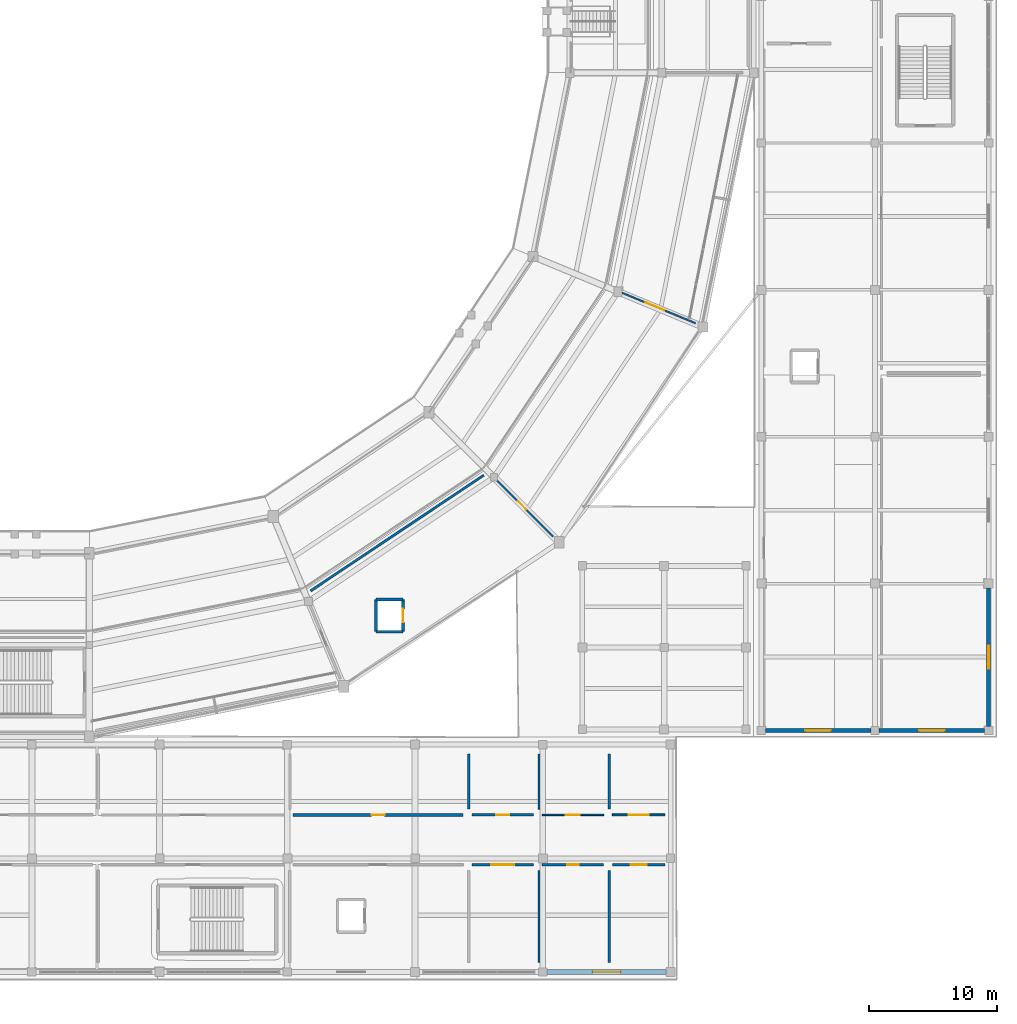
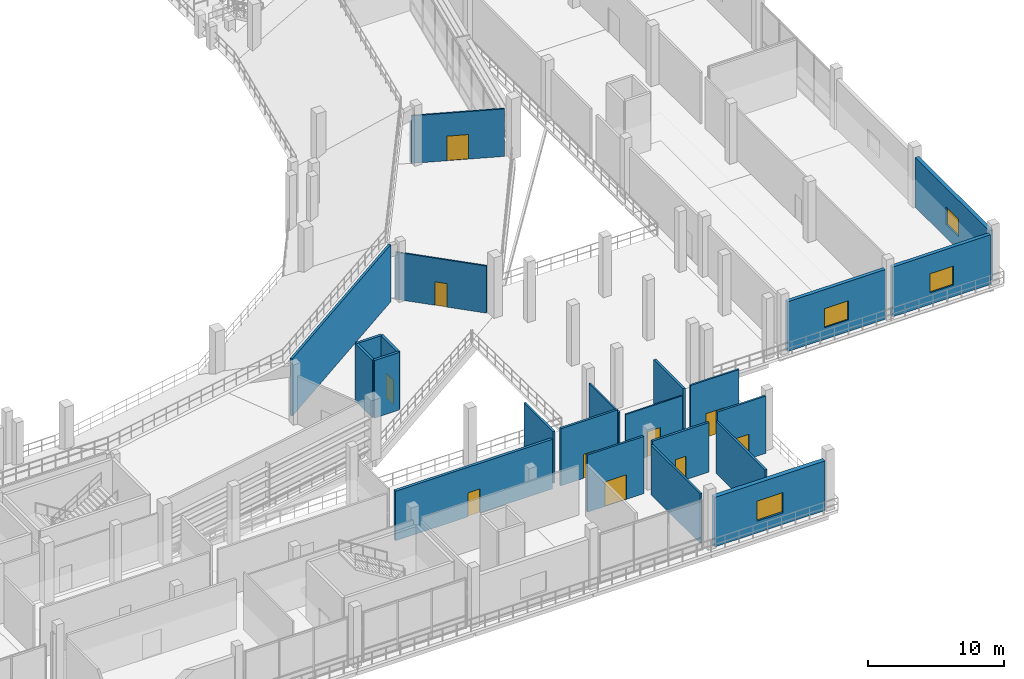
# One storey, part 79 of 127: 23 walls, 10 doors, 4 windows, 14 openings.
"""IFC4 building model written with IfcOpenShell, lengths in metres."""

from ifc_helpers import new_model, si_unit, direction, frame, frame_2d, origin, place, context, subcontext, project, spatial, rectangle, extrude, material, layer, layer_set, type_object, element, fill, save


model = new_model("IFC4")

# Units and contexts
model_context = context("Model", 3, precision=1e-05, world=origin(), true_north=direction((0.0, 1.0)))
body_context = subcontext(model_context, "Body", "Model", "MODEL_VIEW")
ifc_project = project(units=[si_unit("LENGTHUNIT", "METRE"), si_unit("AREAUNIT", "SQUARE_METRE"), si_unit("VOLUMEUNIT", "CUBIC_METRE"), si_unit("PLANEANGLEUNIT", "RADIAN"), si_unit("MASSUNIT", "GRAM", prefix="KILO")], contexts=[model_context])

# Site, building, storey
site_placement = place(None, origin())
site = spatial("IfcSite", under=ifc_project, at=site_placement, CompositionType="ELEMENT")
building_placement = place(site_placement, origin())
building = spatial("IfcBuilding", under=site, at=building_placement, Name="Candeia Ridge Stadium", CompositionType="ELEMENT")
storey_placement = place(building_placement, frame((0.0, 0.0, 10.800048828125)))
storey = spatial("IfcBuildingStorey", under=building, at=storey_placement, Name="L02", CompositionType="ELEMENT", Elevation=10.800048828125)

# Wall, opening, door
ifc_material_1 = material(Name="Gypsum Metal-Stud Partition", Category="gypsum")
ifc_layer_1 = layer(ifc_material_1, 0.14501953125, Name="Gypsum Metal-Stud Partition", Category="gypsum")
ifc_layer_set_1 = layer_set([ifc_layer_1], Name="Gypsum Metal-Stud Partition")
wall_type_1 = type_object("IfcWallType", Name="Athlete Recovery Partition 145", PredefinedType="PARTITIONING", material=ifc_layer_set_1)
wall_1_placement = place(storey_placement, frame((186.050048828125, 12.89990234375, 0.0), z_axis=(0.0, 0.0, 1.0), x_axis=(-1.0, 0.0, 0.0)))
wall_1 = element("IfcWall", 1, at=wall_1_placement, inside=storey, type_object=wall_type_1, Name="Interior partition PT-L02-0417", PredefinedType="PARTITIONING", context=body_context, shape_type="SweptSolid", body=[
    extrude(rectangle(XDim=4.10009765625, YDim=0.14501953125, at=frame_2d((2.050048828125, 0.0))), origin(), (0.0, 0.0, 1.0), 5.119873046875),
])
opening_1_placement = place(wall_1_placement, frame((1.27490234375, 0.0, 0.0)))
opening_1 = element("IfcOpeningElement", 2, at=opening_1_placement, cuts=wall_1, Name="Opening ID14", PredefinedType="OPENING", context=body_context, shape_type="SweptSolid", body=[
    extrude(rectangle(XDim=1.550048828125, YDim=2.14990234375, at=frame_2d((0.77490234375, 1.074951171875))), frame((0.0, 0.08251953125, 0.0), z_axis=(0.0, -1.0, 0.0), x_axis=(1.0, 0.0, 0.0)), (0.0, 0.0, 1.0), 0.1650390625),
])
ifc_material_2 = material(Name="Brushed Stainless Steel", Category="steel")
door_type_1 = type_object("IfcDoorType", Name="Catering Kitchen Double Door 1550x2150", OperationType="NOTDEFINED", PredefinedType="DOOR", material=ifc_material_2)
door_1_placement = place(opening_1_placement, origin())
door_1 = element("IfcDoor", 3, at=door_1_placement, inside=storey, type_object=door_type_1, Name="Interior room door D-L02-0216", OperationType="DOUBLE_DOOR_SINGLE_SWING", OverallHeight=2.14990234375, OverallWidth=1.550048828125, PredefinedType="DOOR", context=body_context, shape_type="SweptSolid", body=[
    extrude(rectangle(XDim=1.550048828125, YDim=2.14990234375, at=frame_2d((0.77490234375, 1.074951171875))), frame((0.0, 0.02490234375, 0.0), z_axis=(0.0, -1.0, 0.0), x_axis=(1.0, 0.0, 0.0)), (0.0, 0.0, 1.0), 0.050048828125),
])
fill(opening_1, door_1)

# Wall
ifc_material_3 = material(Name="Gypsum Acoustic Twin-Stud Assembly", Category="gypsum")
ifc_layer_2 = layer(ifc_material_3, 0.179931640625, Name="Gypsum Acoustic Twin-Stud Assembly", Category="gypsum")
ifc_layer_set_2 = layer_set([ifc_layer_2], Name="Gypsum Acoustic Twin-Stud Assembly")
wall_type_2 = type_object("IfcWallType", Name="Corridor Fire Partition 180", PredefinedType="PARTITIONING", material=ifc_layer_set_2)
wall_2_placement = place(storey_placement, frame((181.699951171875, 1.35009765625, 0.0), z_axis=(0.0, 0.0, 1.0), x_axis=(0.0, 1.0, 0.0)))
element("IfcWall", 4, at=wall_2_placement, inside=storey, type_object=wall_type_2, Name="Demising partition PT-L02-0416", PredefinedType="PARTITIONING", context=body_context, shape_type="SweptSolid", body=[
    extrude(rectangle(XDim=7.199951171875, YDim=0.179931640625, at=frame_2d((3.60009765625, 0.0))), origin(), (0.0, 0.0, 1.0), 4.635009765625),
])

# Wall, opening, door
ifc_material_4 = material(Name="Moisture-Resistant Masonry & Tile", Category="masonry")
ifc_layer_3 = layer(ifc_material_4, 0.22998046875, Name="Moisture-Resistant Masonry & Tile", Category="masonry")
ifc_layer_set_3 = layer_set([ifc_layer_3], Name="Moisture-Resistant Masonry & Tile")
wall_type_3 = type_object("IfcWallType", Name="Dressing Suite Wet-Wall Chase 230", PredefinedType="PLUMBINGWALL", material=ifc_layer_set_3)
wall_3_placement = place(storey_placement, frame((170.25, 12.89990234375, 0.0), z_axis=(0.0, 0.0, 1.0), x_axis=(-1.0, 0.0, 0.0)))
wall_3 = element("IfcWall", 5, at=wall_3_placement, inside=storey, type_object=wall_type_3, Name="Interior partition PT-L02-0405", PredefinedType="PLUMBINGWALL", context=body_context, shape_type="SweptSolid", body=[
    extrude(rectangle(XDim=13.300048828125, YDim=0.22998046875, at=frame_2d((6.64990234375, 0.0))), origin(), (0.0, 0.0, 1.0), 4.43505859375),
])
opening_2_placement = place(wall_3_placement, frame((6.139892578125, 0.0, 0.0)))
opening_2 = element("IfcOpeningElement", 6, at=opening_2_placement, cuts=wall_3, Name="Opening ID16", PredefinedType="OPENING", context=body_context, shape_type="SweptSolid", body=[
    extrude(rectangle(XDim=1.02001953125, YDim=2.14990234375, at=frame_2d((0.510009765625, 1.074951171875))), frame((0.0, 0.125, 0.0), z_axis=(0.0, -1.0, 0.0), x_axis=(1.0, 0.0, 0.0)), (0.0, 0.0, 1.0), 0.25),
])
ifc_material_5 = material(Name="Solid Core Cedar Veneer", Category="wood")
door_type_2 = type_object("IfcDoorType", Name="Community Classroom Door 1020x2150", OperationType="NOTDEFINED", PredefinedType="DOOR", material=ifc_material_5)
door_2_placement = place(opening_2_placement, origin())
door_2 = element("IfcDoor", 7, at=door_2_placement, inside=storey, type_object=door_type_2, Name="Interior room door D-L02-0210", OperationType="SINGLE_SWING_LEFT", OverallHeight=2.14990234375, OverallWidth=1.02001953125, PredefinedType="DOOR", context=body_context, shape_type="SweptSolid", body=[
    extrude(rectangle(XDim=1.02001953125, YDim=2.14990234375, at=frame_2d((0.510009765625, 1.074951171875))), frame((0.0, 0.02490234375, 0.0), z_axis=(0.0, -1.0, 0.0), x_axis=(1.0, 0.0, 0.0)), (0.0, 0.0, 1.0), 0.050048828125),
])
fill(opening_2, door_2)

# Wall, opening, window
ifc_material_6 = material(Name="Concrete C35/45", Category="concrete")
ifc_layer_4 = layer(ifc_material_6, 0.320068359375, Name="Concrete C35/45", Category="concrete")
ifc_layer_set_4 = layer_set([ifc_layer_4], Name="Concrete C35/45")
wall_type_4 = type_object("IfcWallType", Name="Exterior Cedar-Clad Insulated Wall 320", PredefinedType="SOLIDWALL", material=ifc_layer_set_4)
wall_4_placement = place(storey_placement, frame((211.39990234375, 19.81298828125, 0.0), z_axis=(0.0, 0.0, 1.0), x_axis=(0.0, 1.0, 0.0)))
wall_4 = element("IfcWall", 8, at=wall_4_placement, inside=storey, type_object=wall_type_4, Name="Exterior facade wall EW-L02-0144", PredefinedType="SOLIDWALL", context=body_context, shape_type="SweptSolid", body=[
    extrude(rectangle(XDim=10.84912109375, YDim=0.320068359375, at=frame_2d((5.424560546875, 0.0))), origin(), (0.0, 0.0, 1.0), 4.454833984375),
])
opening_3_placement = place(wall_4_placement, frame((4.5244140625, 0.0, 1.199951171875)))
opening_3 = element("IfcOpeningElement", 9, at=opening_3_placement, cuts=wall_4, Name="Opening W08", PredefinedType="OPENING", context=body_context, shape_type="SweptSolid", body=[
    extrude(rectangle(XDim=1.800048828125, YDim=1.60009765625, at=frame_2d((0.89990234375, 0.800048828125))), frame((0.0, 0.169921875, 0.0), z_axis=(0.0, -1.0, 0.0), x_axis=(1.0, 0.0, 0.0)), (0.0, 0.0, 1.0), 0.340087890625),
])
ifc_material_7 = material(Name="Tempered Solar-Control Double Glazing", Category="glass")
window_type_1 = type_object("IfcWindowType", Name="Athlete Suite Window 1800x1600", PartitioningType="SINGLE_PANEL", PredefinedType="WINDOW", material=ifc_material_7)
window_1_placement = place(opening_3_placement, origin())
window_1 = element("IfcWindow", 10, at=window_1_placement, inside=storey, type_object=window_type_1, Name="Exterior window WIN-L02-081", OverallHeight=1.60009765625, OverallWidth=1.800048828125, PartitioningType="SINGLE_PANEL", PredefinedType="WINDOW", context=body_context, shape_type="SweptSolid", body=[
    extrude(rectangle(XDim=1.800048828125, YDim=1.60009765625, at=frame_2d((0.89990234375, 0.800048828125))), frame((0.0, 0.030029296875, 0.0), z_axis=(0.0, -1.0, 0.0), x_axis=(1.0, 0.0, 0.0)), (0.0, 0.0, 1.0), 0.06005859375),
])
fill(opening_3, window_1)

ifc_material_8 = material(Name="Concrete C40/50", Category="concrete")
ifc_layer_5 = layer(ifc_material_8, 0.3798828125, Name="Concrete C40/50", Category="concrete")
ifc_layer_set_5 = layer_set([ifc_layer_5], Name="Concrete C40/50")
wall_type_5 = type_object("IfcWallType", Name="Exterior Museum Gallery Wall 380", PredefinedType="SOLIDWALL", material=ifc_layer_set_5)
wall_5_placement = place(storey_placement, frame((176.81298828125, 0.60009765625, 0.0), z_axis=(0.0, 0.0, 1.0), x_axis=(1.0, 0.0, 0.0)))
wall_5 = element("IfcWall", 11, at=wall_5_placement, inside=storey, type_object=wall_type_5, Name="Exterior facade wall EW-L02-0181", PredefinedType="SOLIDWALL", context=body_context, shape_type="SweptSolid", body=[
    extrude(rectangle(XDim=9.34912109375, YDim=0.3798828125, at=frame_2d((4.674560546875, 0.0))), origin(), (0.0, 0.0, 1.0), 4.43505859375),
])
opening_4_placement = place(wall_5_placement, frame((3.574462890625, 0.0, 1.050048828125)))
opening_4 = element("IfcOpeningElement", 12, at=opening_4_placement, cuts=wall_5, Name="Opening W07", PredefinedType="OPENING", context=body_context, shape_type="SweptSolid", body=[
    extrude(rectangle(XDim=2.199951171875, YDim=1.800048828125, at=frame_2d((1.10009765625, 0.89990234375))), frame((0.0, 0.199951171875, 0.0), z_axis=(0.0, -1.0, 0.0), x_axis=(1.0, 0.0, 0.0)), (0.0, 0.0, 1.0), 0.39990234375),
])
window_type_2 = type_object("IfcWindowType", Name="Museum Gallery Window 2200x1800", PartitioningType="SINGLE_PANEL", PredefinedType="WINDOW", material=ifc_material_7)
window_2_placement = place(opening_4_placement, origin())
window_2 = element("IfcWindow", 13, at=window_2_placement, inside=storey, type_object=window_type_2, Name="Exterior window WIN-L02-102", OverallHeight=1.800048828125, OverallWidth=2.199951171875, PartitioningType="SINGLE_PANEL", PredefinedType="WINDOW", context=body_context, shape_type="SweptSolid", body=[
    extrude(rectangle(XDim=2.199951171875, YDim=1.800048828125, at=frame_2d((1.10009765625, 0.89990234375))), frame((0.0, 0.030029296875, 0.0), z_axis=(0.0, -1.0, 0.0), x_axis=(1.0, 0.0, 0.0)), (0.0, 0.0, 1.0), 0.06005859375),
])
fill(opening_4, window_2)

ifc_layer_6 = layer(ifc_material_6, 0.300048828125, Name="Concrete C35/45", Category="concrete")
ifc_layer_set_6 = layer_set([ifc_layer_6], Name="Concrete C35/45")
wall_type_6 = type_object("IfcWallType", Name="Exterior Pavilion Rainscreen Wall 300", PredefinedType="SOLIDWALL", material=ifc_layer_set_6)
wall_6_placement = place(storey_placement, frame((193.9130859375, 19.5, 0.0), z_axis=(0.0, 0.0, 1.0), x_axis=(1.0, 0.0, 0.0)))
wall_6 = element("IfcWall", 14, at=wall_6_placement, inside=storey, type_object=wall_type_6, Name="Exterior facade wall EW-L02-0150", PredefinedType="SOLIDWALL", context=body_context, shape_type="SweptSolid", body=[
    extrude(rectangle(XDim=8.27392578125, YDim=0.300048828125, at=frame_2d((4.136962890625, 0.0))), origin(), (0.0, 0.0, 1.0), 4.454833984375),
])
opening_5_placement = place(wall_6_placement, frame((3.136962890625, 0.0, 1.050048828125)))
opening_5 = element("IfcOpeningElement", 15, at=opening_5_placement, cuts=wall_6, Name="Opening W12", PredefinedType="OPENING", context=body_context, shape_type="SweptSolid", body=[
    extrude(rectangle(XDim=2.0, YDim=1.699951171875, at=frame_2d((1.0, 0.85009765625))), frame((0.0, 0.159912109375, 0.0), z_axis=(0.0, -1.0, 0.0), x_axis=(1.0, 0.0, 0.0)), (0.0, 0.0, 1.0), 0.320068359375),
])
window_type_3 = type_object("IfcWindowType", Name="Community Room Window 2000x1700", PartitioningType="SINGLE_PANEL", PredefinedType="WINDOW", material=ifc_material_7)
window_3_placement = place(opening_5_placement, origin())
window_3 = element("IfcWindow", 16, at=window_3_placement, inside=storey, type_object=window_type_3, Name="Exterior window WIN-L02-087", OverallHeight=1.699951171875, OverallWidth=2.0, PartitioningType="SINGLE_PANEL", PredefinedType="WINDOW", context=body_context, shape_type="SweptSolid", body=[
    extrude(rectangle(XDim=2.0, YDim=1.699951171875, at=frame_2d((1.0, 0.85009765625))), frame((0.0, 0.030029296875, 0.0), z_axis=(0.0, -1.0, 0.0), x_axis=(1.0, 0.0, 0.0)), (0.0, 0.0, 1.0), 0.06005859375),
])
fill(opening_5, window_3)

wall_7_placement = place(storey_placement, frame((202.81298828125, 19.5, 0.0), z_axis=(0.0, 0.0, 1.0), x_axis=(1.0, 0.0, 0.0)))
wall_7 = element("IfcWall", 17, at=wall_7_placement, inside=storey, type_object=wall_type_6, Name="Exterior facade wall EW-L02-0151", PredefinedType="SOLIDWALL", context=body_context, shape_type="SweptSolid", body=[
    extrude(rectangle(XDim=8.27392578125, YDim=0.300048828125, at=frame_2d((4.136962890625, 0.0))), origin(), (0.0, 0.0, 1.0), 4.454833984375),
])
opening_6_placement = place(wall_7_placement, frame((3.136962890625, 0.0, 1.050048828125)))
opening_6 = element("IfcOpeningElement", 18, at=opening_6_placement, cuts=wall_7, Name="Opening W12", PredefinedType="OPENING", context=body_context, shape_type="SweptSolid", body=[
    extrude(rectangle(XDim=2.0, YDim=1.699951171875, at=frame_2d((1.0, 0.85009765625))), frame((0.0, 0.159912109375, 0.0), z_axis=(0.0, -1.0, 0.0), x_axis=(1.0, 0.0, 0.0)), (0.0, 0.0, 1.0), 0.320068359375),
])
window_4_placement = place(opening_6_placement, origin())
window_4 = element("IfcWindow", 19, at=window_4_placement, inside=storey, type_object=window_type_3, Name="Exterior window WIN-L02-088", OverallHeight=1.699951171875, OverallWidth=2.0, PartitioningType="SINGLE_PANEL", PredefinedType="WINDOW", context=body_context, shape_type="SweptSolid", body=[
    extrude(rectangle(XDim=2.0, YDim=1.699951171875, at=frame_2d((1.0, 0.85009765625))), frame((0.0, 0.030029296875, 0.0), z_axis=(0.0, -1.0, 0.0), x_axis=(1.0, 0.0, 0.0)), (0.0, 0.0, 1.0), 0.06005859375),
])
fill(opening_6, window_4)

# Wall, opening, door
ifc_layer_7 = layer(ifc_material_1, 0.135009765625, Name="Gypsum Metal-Stud Partition", Category="gypsum")
ifc_layer_set_7 = layer_set([ifc_layer_7], Name="Gypsum Metal-Stud Partition")
wall_type_7 = type_object("IfcWallType", Name="General Room Partition 135", PredefinedType="PARTITIONING", material=ifc_layer_set_7)
wall_8_placement = place(storey_placement, frame((188.44921875, 51.38916015625, 0.0), z_axis=(0.0, 0.0, 1.0), x_axis=(-0.923880834014, 0.382680290244, 0.0)))
wall_8 = element("IfcWall", 20, at=wall_8_placement, inside=storey, type_object=wall_type_7, Name="Interior partition PT-L02-0489", PredefinedType="PARTITIONING", context=body_context, shape_type="SweptSolid", body=[
    extrude(rectangle(XDim=6.89208984375, YDim=0.135009765625, at=frame_2d((3.446044921875, 0.0))), origin(), (0.0, 0.0, 1.0), 4.2548828125),
])
opening_7_placement = place(wall_8_placement, frame((2.64599609375, 0.0, 0.0)))
opening_7 = element("IfcOpeningElement", 21, at=opening_7_placement, cuts=wall_8, Name="Opening ID03", PredefinedType="OPENING", context=body_context, shape_type="SweptSolid", body=[
    extrude(rectangle(XDim=1.60009765625, YDim=2.199951171875, at=frame_2d((0.800048828125, 1.10009765625))), frame((0.0, 0.077392578125, 0.0), z_axis=(0.0, -1.0, 0.0), x_axis=(1.0, 0.0, 0.0)), (0.0, 0.0, 1.0), 0.155029296875),
])
ifc_material_9 = material(Name="Solid Core Hardwood Veneer", Category="wood")
door_type_3 = type_object("IfcDoorType", Name="Athlete Dressing Double Door 1600x2200", OperationType="NOTDEFINED", PredefinedType="DOOR", material=ifc_material_9)
door_3_placement = place(opening_7_placement, origin())
door_3 = element("IfcDoor", 22, at=door_3_placement, inside=storey, type_object=door_type_3, Name="Interior room door D-L02-0252", OperationType="DOUBLE_DOOR_SINGLE_SWING", OverallHeight=2.199951171875, OverallWidth=1.60009765625, PredefinedType="DOOR", context=body_context, shape_type="SweptSolid", body=[
    extrude(rectangle(XDim=1.60009765625, YDim=2.199951171875, at=frame_2d((0.800048828125, 1.10009765625))), frame((0.0, 0.02490234375, 0.0), z_axis=(0.0, -1.0, 0.0), x_axis=(1.0, 0.0, 0.0)), (0.0, 0.0, 1.0), 0.050048828125),
])
fill(opening_7, door_3)

# Wall
ifc_layer_8 = layer(ifc_material_8, 0.219970703125, Name="Concrete C40/50", Category="concrete")
ifc_layer_set_8 = layer_set([ifc_layer_8], Name="Concrete C40/50")
wall_type_8 = type_object("IfcWallType", Name="Lift & Riser Shaft Wall 220", PredefinedType="SHEAR", material=ifc_layer_set_8)
wall_9_placement = place(storey_placement, frame((163.43994140625, 27.239990234375, 0.0), z_axis=(0.0, 0.0, 1.0), x_axis=(1.0, 0.0, 0.0)))
element("IfcWall", 23, at=wall_9_placement, inside=storey, type_object=wall_type_8, Name="Lift EL1 shaft wall L02 south", PredefinedType="SHEAR", context=body_context, shape_type="SweptSolid", body=[
    extrude(rectangle(XDim=2.1201171875, YDim=0.219970703125, at=frame_2d((1.06005859375, 0.0))), origin(), (0.0, 0.0, 1.0), 5.14990234375),
])

# Wall, opening, door
wall_10_placement = place(storey_placement, frame((165.56005859375, 27.239990234375, 0.0), z_axis=(0.0, 0.0, 1.0), x_axis=(0.0, 1.0, 0.0)))
wall_10 = element("IfcWall", 24, at=wall_10_placement, inside=storey, type_object=wall_type_8, Name="Lift EL1 shaft wall L02 east", PredefinedType="SHEAR", context=body_context, shape_type="SweptSolid", body=[
    extrude(rectangle(XDim=2.52001953125, YDim=0.219970703125, at=frame_2d((1.260009765625, 0.0))), origin(), (0.0, 0.0, 1.0), 5.14990234375),
])
opening_8_placement = place(wall_10_placement, frame((0.735107421875, 0.0, 0.0)))
opening_8 = element("IfcOpeningElement", 25, at=opening_8_placement, cuts=wall_10, Name="Opening LD02", PredefinedType="OPENING", context=body_context, shape_type="SweptSolid", body=[
    extrude(rectangle(XDim=1.050048828125, YDim=2.14990234375, at=frame_2d((0.52490234375, 1.074951171875))), frame((0.0, 0.119873046875, 0.0), z_axis=(0.0, -1.0, 0.0), x_axis=(1.0, 0.0, 0.0)), (0.0, 0.0, 1.0), 0.239990234375),
])
door_type_4 = type_object("IfcDoorType", Name="Passenger Lift Landing Door 1050x2150", OperationType="NOTDEFINED", PredefinedType="DOOR", material=ifc_material_2)
door_4_placement = place(opening_8_placement, origin())
door_4 = element("IfcDoor", 26, at=door_4_placement, inside=storey, type_object=door_type_4, Name="Lift landing sliding door LD-EL1-L02", OperationType="DOUBLE_DOOR_SLIDING", OverallHeight=2.14990234375, OverallWidth=1.050048828125, PredefinedType="DOOR", context=body_context, shape_type="SweptSolid", body=[
    extrude(rectangle(XDim=1.050048828125, YDim=2.14990234375, at=frame_2d((0.52490234375, 1.074951171875))), frame((0.0, 0.02490234375, 0.0), z_axis=(0.0, -1.0, 0.0), x_axis=(1.0, 0.0, 0.0)), (0.0, 0.0, 1.0), 0.050048828125),
])
fill(opening_8, door_4)

# Walls
wall_11_placement = place(storey_placement, frame((165.56005859375, 29.760009765625, 0.0), z_axis=(0.0, 0.0, 1.0), x_axis=(-1.0, 0.0, 0.0)))
element("IfcWall", 27, at=wall_11_placement, inside=storey, type_object=wall_type_8, Name="Lift EL1 shaft wall L02 north", PredefinedType="SHEAR", context=body_context, shape_type="SweptSolid", body=[
    extrude(rectangle(XDim=2.1201171875, YDim=0.219970703125, at=frame_2d((1.06005859375, 0.0))), origin(), (0.0, 0.0, 1.0), 5.14990234375),
])
wall_12_placement = place(storey_placement, frame((163.43994140625, 29.760009765625, 0.0), z_axis=(0.0, 0.0, 1.0), x_axis=(0.0, -1.0, 0.0)))
element("IfcWall", 28, at=wall_12_placement, inside=storey, type_object=wall_type_8, Name="Lift EL1 shaft wall L02 west", PredefinedType="SHEAR", context=body_context, shape_type="SweptSolid", body=[
    extrude(rectangle(XDim=2.52001953125, YDim=0.219970703125, at=frame_2d((1.260009765625, 0.0))), origin(), (0.0, 0.0, 1.0), 5.14990234375),
])

# Wall, opening, door
ifc_material_10 = material(Name="Gypsum Acoustic Triple-Board Wall", Category="gypsum")
ifc_layer_9 = layer(ifc_material_10, 0.18994140625, Name="Gypsum Acoustic Triple-Board Wall", Category="gypsum")
ifc_layer_set_9 = layer_set([ifc_layer_9], Name="Gypsum Acoustic Triple-Board Wall")
wall_type_9 = type_object("IfcWallType", Name="Media & Commentary Studio Wall 190", PredefinedType="PARTITIONING", material=ifc_layer_set_9)
wall_13_placement = place(storey_placement, frame((176.449951171875, 9.0, 0.0), z_axis=(0.0, 0.0, 1.0), x_axis=(1.0, 0.0, 0.0)))
wall_13 = element("IfcWall", 29, at=wall_13_placement, inside=storey, type_object=wall_type_9, Name="Interior partition PT-L02-0411", PredefinedType="PARTITIONING", context=body_context, shape_type="SweptSolid", body=[
    extrude(rectangle(XDim=4.800048828125, YDim=0.18994140625, at=frame_2d((2.39990234375, 0.0))), origin(), (0.0, 0.0, 1.0), 4.43505859375),
])
opening_9_placement = place(wall_13_placement, frame((1.949951171875, 0.0, 0.0)))
opening_9 = element("IfcOpeningElement", 30, at=opening_9_placement, cuts=wall_13, Name="Opening ID07", PredefinedType="OPENING", context=body_context, shape_type="SweptSolid", body=[
    extrude(rectangle(XDim=0.89990234375, YDim=2.10009765625, at=frame_2d((0.449951171875, 1.050048828125))), frame((0.0, 0.10498046875, 0.0), z_axis=(0.0, -1.0, 0.0), x_axis=(1.0, 0.0, 0.0)), (0.0, 0.0, 1.0), 0.2099609375),
])
ifc_material_11 = material(Name="Moisture-Resistant Laminate", Category="wood")
door_type_5 = type_object("IfcDoorType", Name="Sanitary Lobby Single Door 900x2100", OperationType="NOTDEFINED", PredefinedType="DOOR", material=ifc_material_11)
door_5_placement = place(opening_9_placement, frame((0.89990234375, 0.0, 0.0), z_axis=(0.0, 0.0, 1.0), x_axis=(-1.0, 0.0, 0.0)))
door_5 = element("IfcDoor", 31, at=door_5_placement, inside=storey, type_object=door_type_5, Name="Interior room door D-L02-0213", OperationType="SINGLE_SWING_LEFT", OverallHeight=2.10009765625, OverallWidth=0.89990234375, PredefinedType="DOOR", context=body_context, shape_type="SweptSolid", body=[
    extrude(rectangle(XDim=0.89990234375, YDim=2.10009765625, at=frame_2d((0.449951171875, 1.050048828125))), frame((0.0, 0.02490234375, 0.0), z_axis=(0.0, -1.0, 0.0), x_axis=(1.0, 0.0, 0.0)), (0.0, 0.0, 1.0), 0.050048828125),
])
fill(opening_9, door_5)

# Walls
wall_14_placement = place(storey_placement, frame((181.699951171875, 13.35009765625, 0.0), z_axis=(0.0, 0.0, 1.0), x_axis=(0.0, 1.0, 0.0)))
element("IfcWall", 32, at=wall_14_placement, inside=storey, type_object=wall_type_9, Name="Demising partition PT-L02-0418", PredefinedType="PARTITIONING", context=body_context, shape_type="SweptSolid", body=[
    extrude(rectangle(XDim=4.2998046875, YDim=0.18994140625, at=frame_2d((2.14990234375, 0.0))), origin(), (0.0, 0.0, 1.0), 4.635009765625),
])
wall_15_placement = place(storey_placement, frame((158.322021484375, 30.436767578125, 0.0), z_axis=(0.0, 0.0, 1.0), x_axis=(0.831469365384, 0.555570602559, 0.0)))
element("IfcWall", 33, at=wall_15_placement, inside=storey, type_object=wall_type_9, Name="Demising partition PT-L02-0488", PredefinedType="PARTITIONING", context=body_context, shape_type="SweptSolid", body=[
    extrude(rectangle(XDim=16.305908203125, YDim=0.18994140625, at=frame_2d((8.15283203125, 0.0))), origin(), (0.0, 0.0, 1.0), 5.119873046875),
])

# Wall, opening, door
ifc_layer_10 = layer(ifc_material_10, 0.18505859375, Name="Gypsum Acoustic Triple-Board Wall", Category="gypsum")
ifc_layer_set_10 = layer_set([ifc_layer_10], Name="Gypsum Acoustic Triple-Board Wall")
wall_type_10 = type_object("IfcWallType", Name="Media Booth Studio Divider 185", PredefinedType="PARTITIONING", material=ifc_layer_set_10)
wall_16_placement = place(storey_placement, frame((175.75, 12.89990234375, 0.0), z_axis=(0.0, 0.0, 1.0), x_axis=(-1.0, 0.0, 0.0)))
wall_16 = element("IfcWall", 34, at=wall_16_placement, inside=storey, type_object=wall_type_10, Name="Interior partition PT-L02-0409", PredefinedType="PARTITIONING", context=body_context, shape_type="SweptSolid", body=[
    extrude(rectangle(XDim=4.800048828125, YDim=0.18505859375, at=frame_2d((2.39990234375, 0.0))), origin(), (0.0, 0.0, 1.0), 5.119873046875),
])
opening_10_placement = place(wall_16_placement, frame((1.89990234375, 0.0, 0.0)))
opening_10 = element("IfcOpeningElement", 35, at=opening_10_placement, cuts=wall_16, Name="Opening ID04", PredefinedType="OPENING", context=body_context, shape_type="SweptSolid", body=[
    extrude(rectangle(XDim=1.0, YDim=2.14990234375, at=frame_2d((0.5, 1.074951171875))), frame((0.0, 0.1025390625, 0.0), z_axis=(0.0, -1.0, 0.0), x_axis=(1.0, 0.0, 0.0)), (0.0, 0.0, 1.0), 0.205078125),
])
ifc_material_12 = material(Name="Powder-Coated Hollow Metal", Category="steel")
door_type_6 = type_object("IfcDoorType", Name="Concourse Kiosk Service Door 1000x2150", OperationType="NOTDEFINED", PredefinedType="DOOR", material=ifc_material_12)
door_6_placement = place(opening_10_placement, origin())
door_6 = element("IfcDoor", 36, at=door_6_placement, inside=storey, type_object=door_type_6, Name="Interior room door D-L02-0212", OperationType="SINGLE_SWING_RIGHT", OverallHeight=2.14990234375, OverallWidth=1.0, PredefinedType="DOOR", context=body_context, shape_type="SweptSolid", body=[
    extrude(rectangle(XDim=1.0, YDim=2.14990234375, at=frame_2d((0.5, 1.074951171875))), frame((0.0, 0.02490234375, 0.0), z_axis=(0.0, -1.0, 0.0), x_axis=(1.0, 0.0, 0.0)), (0.0, 0.0, 1.0), 0.050048828125),
])
fill(opening_10, door_6)

# Wall
ifc_layer_11 = layer(ifc_material_3, 0.175048828125, Name="Gypsum Acoustic Twin-Stud Assembly", Category="gypsum")
ifc_layer_set_11 = layer_set([ifc_layer_11], Name="Gypsum Acoustic Twin-Stud Assembly")
wall_type_11 = type_object("IfcWallType", Name="Museum Acoustic Gallery Wall 175", PredefinedType="PARTITIONING", material=ifc_layer_set_11)
wall_17_placement = place(storey_placement, frame((170.699951171875, 13.35009765625, 0.0), z_axis=(0.0, 0.0, 1.0), x_axis=(0.0, 1.0, 0.0)))
element("IfcWall", 37, at=wall_17_placement, inside=storey, type_object=wall_type_11, Name="Demising partition PT-L02-0410", PredefinedType="PARTITIONING", context=body_context, shape_type="SweptSolid", body=[
    extrude(rectangle(XDim=4.2998046875, YDim=0.175048828125, at=frame_2d((2.14990234375, 0.0))), origin(), (0.0, 0.0, 1.0), 4.635009765625),
])

# Wall, opening, door
wall_18_placement = place(storey_placement, frame((181.949951171875, 9.0, 0.0), z_axis=(0.0, 0.0, 1.0), x_axis=(1.0, 0.0, 0.0)))
wall_18 = element("IfcWall", 38, at=wall_18_placement, inside=storey, type_object=wall_type_11, Name="Interior partition PT-L02-0415", PredefinedType="PARTITIONING", context=body_context, shape_type="SweptSolid", body=[
    extrude(rectangle(XDim=4.10009765625, YDim=0.175048828125, at=frame_2d((2.050048828125, 0.0))), origin(), (0.0, 0.0, 1.0), 5.119873046875),
])
opening_11_placement = place(wall_18_placement, frame((1.425048828125, 0.0, 0.0)))
opening_11 = element("IfcOpeningElement", 39, at=opening_11_placement, cuts=wall_18, Name="Opening ID11", PredefinedType="OPENING", context=body_context, shape_type="SweptSolid", body=[
    extrude(rectangle(XDim=1.25, YDim=2.199951171875, at=frame_2d((0.625, 1.10009765625))), frame((0.0, 0.097412109375, 0.0), z_axis=(0.0, -1.0, 0.0), x_axis=(1.0, 0.0, 0.0)), (0.0, 0.0, 1.0), 0.195068359375),
])
ifc_material_13 = material(Name="Acoustic Timber Studio Leaf", Category="wood")
door_type_7 = type_object("IfcDoorType", Name="Press Tribune Acoustic Door 1250x2200", OperationType="NOTDEFINED", PredefinedType="DOOR", material=ifc_material_13)
door_7_placement = place(opening_11_placement, origin())
door_7 = element("IfcDoor", 40, at=door_7_placement, inside=storey, type_object=door_type_7, Name="Interior room door D-L02-0215", OperationType="SINGLE_SWING_LEFT", OverallHeight=2.199951171875, OverallWidth=1.25, PredefinedType="DOOR", context=body_context, shape_type="SweptSolid", body=[
    extrude(rectangle(XDim=1.25, YDim=2.199951171875, at=frame_2d((0.625, 1.10009765625))), frame((0.0, 0.02490234375, 0.0), z_axis=(0.0, -1.0, 0.0), x_axis=(1.0, 0.0, 0.0)), (0.0, 0.0, 1.0), 0.050048828125),
])
fill(opening_11, door_7)

ifc_layer_12 = layer(ifc_material_3, 0.169921875, Name="Gypsum Acoustic Twin-Stud Assembly", Category="gypsum")
ifc_layer_set_12 = layer_set([ifc_layer_12], Name="Gypsum Acoustic Twin-Stud Assembly")
wall_type_12 = type_object("IfcWallType", Name="Skybox Demising Acoustic Wall 170", PredefinedType="PARTITIONING", material=ifc_layer_set_12)
wall_19_placement = place(storey_placement, frame((170.949951171875, 9.0, 0.0), z_axis=(0.0, 0.0, 1.0), x_axis=(1.0, 0.0, 0.0)))
wall_19 = element("IfcWall", 41, at=wall_19_placement, inside=storey, type_object=wall_type_12, Name="Interior partition PT-L02-0407", PredefinedType="PARTITIONING", context=body_context, shape_type="SweptSolid", body=[
    extrude(rectangle(XDim=4.800048828125, YDim=0.169921875, at=frame_2d((2.39990234375, 0.0))), origin(), (0.0, 0.0, 1.0), 5.119873046875),
])
opening_12_placement = place(wall_19_placement, frame((1.5, 0.0, 0.0)))
opening_12 = element("IfcOpeningElement", 42, at=opening_12_placement, cuts=wall_19, Name="Opening FD03", PredefinedType="OPENING", context=body_context, shape_type="SweptSolid", body=[
    extrude(rectangle(XDim=1.800048828125, YDim=2.199951171875, at=frame_2d((0.89990234375, 1.10009765625))), frame((0.0, 0.094970703125, 0.0), z_axis=(0.0, -1.0, 0.0), x_axis=(1.0, 0.0, 0.0)), (0.0, 0.0, 1.0), 0.18994140625),
])
ifc_material_14 = material(Name="Timber Fire-Rated Acoustic", Category="wood")
door_type_8 = type_object("IfcDoorType", Name="Corridor Compartment Double Door 1800x2200", OperationType="NOTDEFINED", PredefinedType="DOOR", material=ifc_material_14)
door_8_placement = place(opening_12_placement, origin())
door_8 = element("IfcDoor", 43, at=door_8_placement, inside=storey, type_object=door_type_8, Name="Interior room door D-L02-0211", OperationType="DOUBLE_DOOR_SINGLE_SWING", OverallHeight=2.199951171875, OverallWidth=1.800048828125, PredefinedType="DOOR", context=body_context, shape_type="SweptSolid", body=[
    extrude(rectangle(XDim=1.800048828125, YDim=2.199951171875, at=frame_2d((0.89990234375, 1.10009765625))), frame((0.0, 0.02490234375, 0.0), z_axis=(0.0, -1.0, 0.0), x_axis=(1.0, 0.0, 0.0)), (0.0, 0.0, 1.0), 0.050048828125),
])
fill(opening_12, door_8)

# Wall
wall_20_placement = place(storey_placement, frame((176.199951171875, 1.35009765625, 0.0), z_axis=(0.0, 0.0, 1.0), x_axis=(0.0, 1.0, 0.0)))
element("IfcWall", 44, at=wall_20_placement, inside=storey, type_object=wall_type_12, Name="Demising partition PT-L02-0412", PredefinedType="PARTITIONING", context=body_context, shape_type="SweptSolid", body=[
    extrude(rectangle(XDim=7.199951171875, YDim=0.169921875, at=frame_2d((3.60009765625, 0.0))), origin(), (0.0, 0.0, 1.0), 4.43505859375),
])

# Wall, opening, door
ifc_layer_13 = layer(ifc_material_1, 0.1201171875, Name="Gypsum Metal-Stud Partition", Category="gypsum")
ifc_layer_set_13 = layer_set([ifc_layer_13], Name="Gypsum Metal-Stud Partition")
wall_type_13 = type_object("IfcWallType", Name="Suite Internal Divider 120", PredefinedType="PARTITIONING", material=ifc_layer_set_13)
wall_21_placement = place(storey_placement, frame((181.25, 12.89990234375, 0.0), z_axis=(0.0, 0.0, 1.0), x_axis=(-1.0, 0.0, 0.0)))
wall_21 = element("IfcWall", 45, at=wall_21_placement, inside=storey, type_object=wall_type_13, Name="Interior partition PT-L02-0413", PredefinedType="PARTITIONING", context=body_context, shape_type="SweptSolid", body=[
    extrude(rectangle(XDim=4.800048828125, YDim=0.1201171875, at=frame_2d((2.39990234375, 0.0))), origin(), (0.0, 0.0, 1.0), 4.43505859375),
])
opening_13_placement = place(wall_21_placement, frame((1.860107421875, 0.0, 0.0)))
opening_13 = element("IfcOpeningElement", 46, at=opening_13_placement, cuts=wall_21, Name="Opening ID08", PredefinedType="OPENING", context=body_context, shape_type="SweptSolid", body=[
    extrude(rectangle(XDim=1.080078125, YDim=2.25, at=frame_2d((0.5400390625, 1.125))), frame((0.0, 0.070068359375, 0.0), z_axis=(0.0, -1.0, 0.0), x_axis=(1.0, 0.0, 0.0)), (0.0, 0.0, 1.0), 0.14013671875),
])
ifc_material_15 = material(Name="Western Red Cedar Acoustic Veneer", Category="wood")
door_type_9 = type_object("IfcDoorType", Name="Executive Skybox Entry Door 1080x2250", OperationType="NOTDEFINED", PredefinedType="DOOR", material=ifc_material_15)
door_9_placement = place(opening_13_placement, frame((1.080078125, 0.0, 0.0), z_axis=(0.0, 0.0, 1.0), x_axis=(-1.0, 0.0, 0.0)))
door_9 = element("IfcDoor", 47, at=door_9_placement, inside=storey, type_object=door_type_9, Name="Interior room door D-L02-0214", OperationType="SINGLE_SWING_RIGHT", OverallHeight=2.25, OverallWidth=1.080078125, PredefinedType="DOOR", context=body_context, shape_type="SweptSolid", body=[
    extrude(rectangle(XDim=1.080078125, YDim=2.25, at=frame_2d((0.5400390625, 1.125))), frame((0.0, 0.02490234375, 0.0), z_axis=(0.0, -1.0, 0.0), x_axis=(1.0, 0.0, 0.0)), (0.0, 0.0, 1.0), 0.050048828125),
])
fill(opening_13, door_9)

# Wall
ifc_layer_14 = layer(ifc_material_1, 0.1298828125, Name="Gypsum Metal-Stud Partition", Category="gypsum")
ifc_layer_set_14 = layer_set([ifc_layer_14], Name="Gypsum Metal-Stud Partition")
wall_type_14 = type_object("IfcWallType", Name="Ticketing Back-Office Partition 130", PredefinedType="PARTITIONING", material=ifc_layer_set_14)
wall_22_placement = place(storey_placement, frame((176.199951171875, 13.35009765625, 0.0), z_axis=(0.0, 0.0, 1.0), x_axis=(0.0, 1.0, 0.0)))
element("IfcWall", 48, at=wall_22_placement, inside=storey, type_object=wall_type_14, Name="Demising partition PT-L02-0414", PredefinedType="PARTITIONING", context=body_context, shape_type="SweptSolid", body=[
    extrude(rectangle(XDim=4.2998046875, YDim=0.1298828125, at=frame_2d((2.14990234375, 0.0))), origin(), (0.0, 0.0, 1.0), 4.43505859375),
])

# Wall, opening, door
wall_23_placement = place(storey_placement, frame((172.430908203125, 39.569091796875, 0.0), z_axis=(0.0, 0.0, 1.0), x_axis=(0.707106781187, -0.707106781187, 0.0)))
wall_23 = element("IfcWall", 49, at=wall_23_placement, inside=storey, type_object=wall_type_14, Name="Interior partition PT-L02-0487", PredefinedType="PARTITIONING", context=body_context, shape_type="SweptSolid", body=[
    extrude(rectangle(XDim=6.89990234375, YDim=0.1298828125, at=frame_2d((3.449951171875, 0.0))), origin(), (0.0, 0.0, 1.0), 4.21484375),
])
opening_14_placement = place(wall_23_placement, frame((2.989990234375, 0.0, 0.0)))
opening_14 = element("IfcOpeningElement", 50, at=opening_14_placement, cuts=wall_23, Name="Opening ID15", PredefinedType="OPENING", context=body_context, shape_type="SweptSolid", body=[
    extrude(rectangle(XDim=0.919921875, YDim=2.10009765625, at=frame_2d((0.4599609375, 1.050048828125))), frame((0.0, 0.074951171875, 0.0), z_axis=(0.0, -1.0, 0.0), x_axis=(1.0, 0.0, 0.0)), (0.0, 0.0, 1.0), 0.14990234375),
])
door_type_10 = type_object("IfcDoorType", Name="Concourse Store Single Door 920x2100", OperationType="NOTDEFINED", PredefinedType="DOOR", material=ifc_material_12)
door_10_placement = place(opening_14_placement, frame((0.919921875, 0.0, 0.0), z_axis=(0.0, 0.0, 1.0), x_axis=(-1.0, 0.0, 0.0)))
door_10 = element("IfcDoor", 51, at=door_10_placement, inside=storey, type_object=door_type_10, Name="Interior room door D-L02-0251", OperationType="SINGLE_SWING_LEFT", OverallHeight=2.10009765625, OverallWidth=0.919921875, PredefinedType="DOOR", context=body_context, shape_type="SweptSolid", body=[
    extrude(rectangle(XDim=0.919921875, YDim=2.10009765625, at=frame_2d((0.4599609375, 1.050048828125))), frame((0.0, 0.02490234375, 0.0), z_axis=(0.0, -1.0, 0.0), x_axis=(1.0, 0.0, 0.0)), (0.0, 0.0, 1.0), 0.050048828125),
])
fill(opening_14, door_10)

save(model, "model.ifc")
